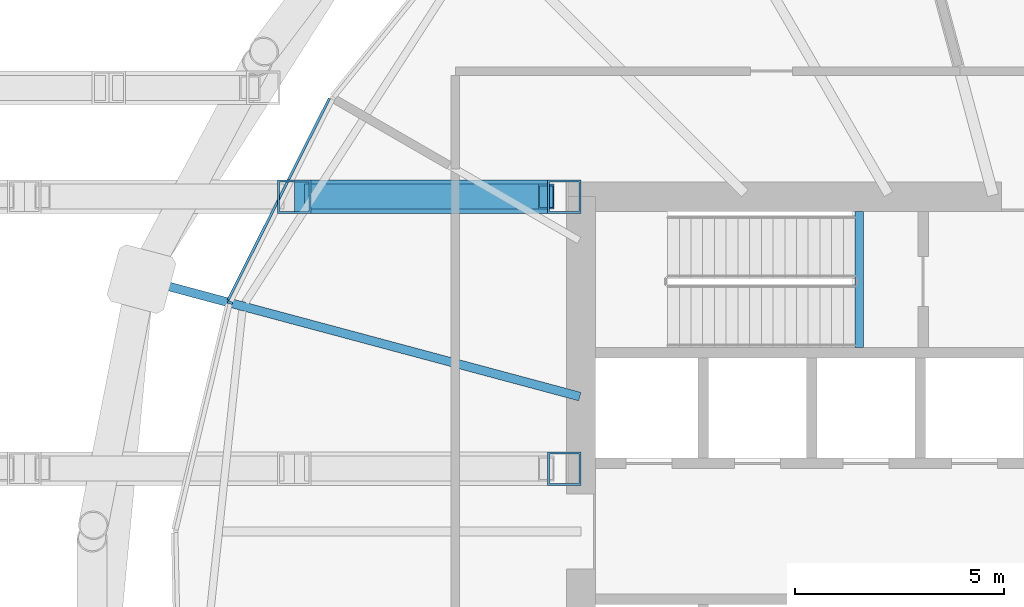
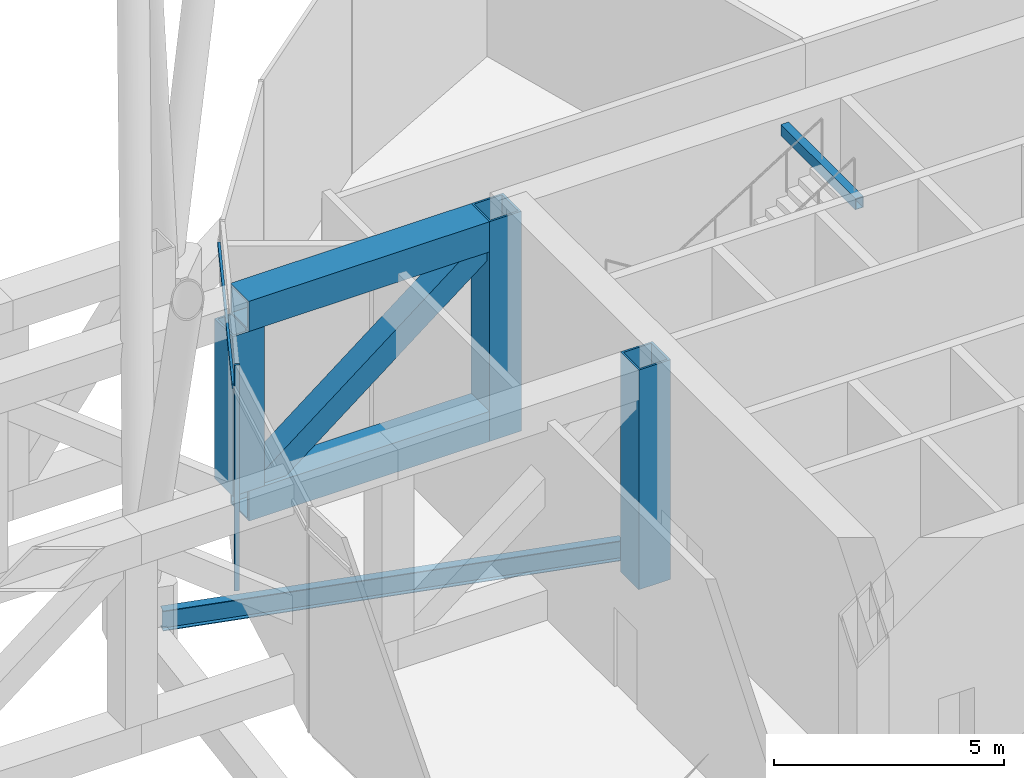
# One storey, part 22 of 39: 8 members, 2 beams, 1 element without a shape of its own.
"""IFC4 building model written with IfcOpenShell, lengths in metres."""

from ifc_helpers import new_model, si_unit, direction, frame, origin, origin_2d, place, context, subcontext, project, spatial, rectangle, hollow_rectangle, i_section, extrude, material, material_profile, profile_set, type_object, element, aggregate, save


model = new_model("IFC4")

# Units and contexts
model_context = context("Model", 3, precision=1e-05, world=origin(), true_north=direction((0.0, 1.0)))
body_context = subcontext(model_context, "Body", "Model", "MODEL_VIEW")
ifc_project = project(units=[si_unit("LENGTHUNIT", "METRE"), si_unit("AREAUNIT", "SQUARE_METRE"), si_unit("VOLUMEUNIT", "CUBIC_METRE"), si_unit("PLANEANGLEUNIT", "RADIAN"), si_unit("MASSUNIT", "GRAM", prefix="KILO")], contexts=[model_context])

# Site, building, storey
site_placement = place(None, origin())
site = spatial("IfcSite", under=ifc_project, at=site_placement, CompositionType="ELEMENT")
building_placement = place(site_placement, origin())
building = spatial("IfcBuilding", under=site, at=building_placement, Name="Rimbun Link Towers", CompositionType="ELEMENT")
storey_placement = place(building_placement, frame((0.0, 0.0, 127.199951171875)))
storey = spatial("IfcBuildingStorey", under=building, at=storey_placement, Name="L31", CompositionType="ELEMENT", Elevation=127.199951171875)

# Curtain wall, members
ifc_material_1 = material(Name="Aluminium 6063-T6 louvre wall", Category="aluminium")
curtain_wall_type = type_object("IfcCurtainWallType", Name="CW6 plant floor louvre wall", PredefinedType="NOTDEFINED", material=ifc_material_1)
curtain_wall_placement = place(storey_placement, origin())
curtain_wall = element("IfcCurtainWall", 1, at=curtain_wall_placement, inside=storey, type_object=curtain_wall_type, Name="CW6 L31 T2", PredefinedType="NOTDEFINED")
ifc_material_2 = material(Name="Aluminium 6063-T6", Category="aluminium")
ifc_material_profile_1 = material_profile(ifc_material_2, rectangle(XDim=0.1201171875, YDim=0.06005859375, at=origin_2d()), Name="MULLION 60X120")
ifc_profile_set_1 = profile_set([ifc_material_profile_1], Name="Aluminium 6063-T6")
member_type_1 = type_object("IfcMemberType", Name="CW6 mullion 60X120", PredefinedType="MULLION", material=ifc_profile_set_1)
member_1_placement = place(storey_placement, frame((11.36572265625, 5.467529296875, 0.0), z_axis=(0.0, 0.0, 1.0), x_axis=(-0.939344617992, 0.342974763868, 0.0)))
member_1 = element("IfcMember", 2, at=member_1_placement, type_object=member_type_1, Name="CW6 mullion", PredefinedType="MULLION", context=body_context, shape_type="SweptSolid", body=[
    extrude(rectangle(XDim=0.1201171875, YDim=0.06005859375, at=origin_2d()), origin(), (0.0, 0.0, 1.0), 6.0),
])
ifc_material_3 = material(Name="Aluminium 6063-T6", Category="aluminium")
ifc_material_profile_2 = material_profile(ifc_material_3, rectangle(XDim=0.06005859375, YDim=0.1201171875, at=origin_2d()), Name="TRANSOM 60X120")
ifc_profile_set_2 = profile_set([ifc_material_profile_2], Name="Aluminium 6063-T6")
member_type_2 = type_object("IfcMemberType", Name="CW6 transom 60X120", PredefinedType="USERDEFINED", material=ifc_profile_set_2)
member_2_placement = place(storey_placement, frame((11.3193359375, 5.531982421875, 5.400146484375), z_axis=(0.448769291431, 0.893647650402, 0.0), x_axis=(-0.893647650402, 0.448769291431, 0.0)))
member_2 = element("IfcMember", 3, at=member_2_placement, type_object=member_type_2, Name="CW6 transom", ObjectType="TRANSOM", PredefinedType="USERDEFINED", context=body_context, shape_type="SweptSolid", body=[
    extrude(rectangle(XDim=0.06005859375, YDim=0.1201171875, at=origin_2d()), origin(), (0.0, 0.0, 1.0), 5.396240234375),
])
aggregate(curtain_wall, [member_1, member_2])

# Members
ifc_material_4 = material(Name="Steel S460N", Category="steel")
ifc_material_profile_3 = material_profile(ifc_material_4, hollow_rectangle(XDim=0.800048828125, YDim=0.800048828125, WallThickness=0.050048828125, at=origin_2d()), Name="Link transfer truss chord BOX 800x800x50")
ifc_profile_set_3 = profile_set([ifc_material_profile_3], Name="Steel S460N")
member_type_3 = type_object("IfcMemberType", Name="Link transfer truss chord BOX 800x800x50", PredefinedType="CHORD", material=ifc_profile_set_3)
for number, where, z_axis, x_axis, name in (
    (4, (12.89990234375, 8.0, 0.400146484375), (1.0, 0.0, 0.0), (0.0, 1.0, 0.0), "Link transfer truss chord 3 bottom 05"),
    (5, (12.89990234375, 8.0, 5.43994140625), (1.0, 0.0, 0.0), (0.0, 1.0, 0.0), "Link transfer truss chord 3 top 05"),
):
    element("IfcMember", number, at=place(storey_placement, frame(where, z_axis=z_axis, x_axis=x_axis)), inside=storey, type_object=member_type_3, Name=name, PredefinedType="CHORD", context=body_context, shape_type="SweptSolid", body=[
        extrude(hollow_rectangle(XDim=0.800048828125, YDim=0.800048828125, WallThickness=0.050048828125, at=origin_2d()), origin(), (0.0, 0.0, 1.0), 6.050048828125),
    ])
ifc_material_5 = material(Name="Steel S460N", Category="steel")
ifc_material_profile_4 = material_profile(ifc_material_5, hollow_rectangle(XDim=0.60009765625, YDim=0.60009765625, WallThickness=0.0400390625, at=origin_2d()), Name="Link transfer truss diagonal BOX 600x600x40")
ifc_profile_set_4 = profile_set([ifc_material_profile_4], Name="Steel S460N")
member_type_4 = type_object("IfcMemberType", Name="Link transfer truss diagonal BOX 600x600x40", PredefinedType="BRACE", material=ifc_profile_set_4)
member_3_placement = place(storey_placement, frame((13.33349609375, 8.0, 0.73876953125), z_axis=(0.787951234296, 0.0, 0.61573764898), x_axis=(0.0, 1.0, 0.0)))
element("IfcMember", 6, at=member_3_placement, inside=storey, type_object=member_type_4, Name="Link transfer truss diagonal 3 05", PredefinedType="BRACE", context=body_context, shape_type="SweptSolid", body=[
    extrude(hollow_rectangle(XDim=0.60009765625, YDim=0.60009765625, WallThickness=0.0400390625, at=origin_2d()), origin(), (0.0, 0.0, 1.0), 7.08544921875),
])
ifc_material_6 = material(Name="Steel S460N", Category="steel")
ifc_material_profile_5 = material_profile(ifc_material_6, hollow_rectangle(XDim=0.800048828125, YDim=0.800048828125, WallThickness=0.050048828125, at=origin_2d()), Name="Link transfer truss post BOX 800x800x50")
ifc_profile_set_5 = profile_set([ifc_material_profile_5], Name="Steel S460N")
member_type_5 = type_object("IfcMemberType", Name="Link transfer truss post BOX 800x800x50", PredefinedType="POST", material=ifc_profile_set_5)
member_4_placement = place(storey_placement, frame((19.35009765625, 1.5, 0.0), z_axis=(0.0, 0.0, 1.0), x_axis=(1.0, 0.0, 0.0)))
element("IfcMember", 7, at=member_4_placement, inside=storey, type_object=member_type_5, Name="Link transfer truss post 2-06", PredefinedType="POST", context=body_context, shape_type="SweptSolid", body=[
    extrude(hollow_rectangle(XDim=0.800048828125, YDim=0.800048828125, WallThickness=0.050048828125, at=origin_2d()), origin(), (0.0, 0.0, 1.0), 5.840087890625),
])
member_5_placement = place(storey_placement, frame((12.89990234375, 8.0, 0.800048828125), z_axis=(0.0, 0.0, 1.0), x_axis=(1.0, 0.0, 0.0)))
element("IfcMember", 8, at=member_5_placement, inside=storey, type_object=member_type_5, Name="Link transfer truss post 3-05", PredefinedType="POST", context=body_context, shape_type="SweptSolid", body=[
    extrude(hollow_rectangle(XDim=0.800048828125, YDim=0.800048828125, WallThickness=0.050048828125, at=origin_2d()), origin(), (0.0, 0.0, 1.0), 4.239990234375),
])
member_6_placement = place(storey_placement, frame((19.35009765625, 8.0, 0.0), z_axis=(0.0, 0.0, 1.0), x_axis=(1.0, 0.0, 0.0)))
element("IfcMember", 9, at=member_6_placement, inside=storey, type_object=member_type_5, Name="Link transfer truss post 3-06", PredefinedType="POST", context=body_context, shape_type="SweptSolid", body=[
    extrude(hollow_rectangle(XDim=0.800048828125, YDim=0.800048828125, WallThickness=0.050048828125, at=origin_2d()), origin(), (0.0, 0.0, 1.0), 5.840087890625),
])

# Beams
ifc_material_7 = material(Name="Steel S355J2", Category="steel")
ifc_material_profile_6 = material_profile(ifc_material_7, hollow_rectangle(XDim=0.199951171875, YDim=0.300048828125, WallThickness=0.011962890625, at=origin_2d()), Name="BOX 300x200x12")
ifc_profile_set_6 = profile_set([ifc_material_profile_6], Name="Steel S355J2")
beam_type_1 = type_object("IfcBeamType", Name="Stair trimmer beam BOX 300x200x12", PredefinedType="BEAM", material=ifc_profile_set_6)
beam_1_placement = place(storey_placement, frame((26.39990234375, 7.64990234375, 5.670166015625), z_axis=(0.0, -1.0, 0.0), x_axis=(1.0, 0.0, 0.0)))
element("IfcBeam", 10, at=beam_1_placement, inside=storey, type_object=beam_type_1, Name="L31 ST3 stair beam 1", PredefinedType="BEAM", context=body_context, shape_type="SweptSolid", body=[
    extrude(hollow_rectangle(XDim=0.199951171875, YDim=0.300048828125, WallThickness=0.011962890625, at=origin_2d()), origin(), (0.0, 0.0, 1.0), 3.25),
])
ifc_material_8 = material(Name="Steel S355J2", Category="steel")
ifc_material_profile_7 = material_profile(ifc_material_8, i_section(OverallWidth=0.209228515625, OverallDepth=0.533203125, WebThickness=0.010009765625, FlangeThickness=0.015625, at=origin_2d()), Name="UB 533x210x92")
ifc_profile_set_7 = profile_set([ifc_material_profile_7], Name="Steel S355J2")
beam_type_2 = type_object("IfcBeamType", Name="UB 533x210x92", PredefinedType="BEAM", material=ifc_profile_set_7)
beam_2_placement = place(storey_placement, frame((19.721923828125, 3.222900390625, -0.446533203125), z_axis=(-0.965922763183, 0.258830476498, 0.0), x_axis=(-0.258830476498, -0.965922763183, 0.0)))
element("IfcBeam", 11, at=beam_2_placement, inside=storey, type_object=beam_type_2, Name="Radial beam T2 L31 08", PredefinedType="BEAM", context=body_context, shape_type="SweptSolid", body=[
    extrude(i_section(OverallWidth=0.209228515625, OverallDepth=0.533203125, WebThickness=0.010009765625, FlangeThickness=0.015625, at=origin_2d()), origin(), (0.0, 0.0, 1.0), 10.3427734375),
])

save(model, "model.ifc")
